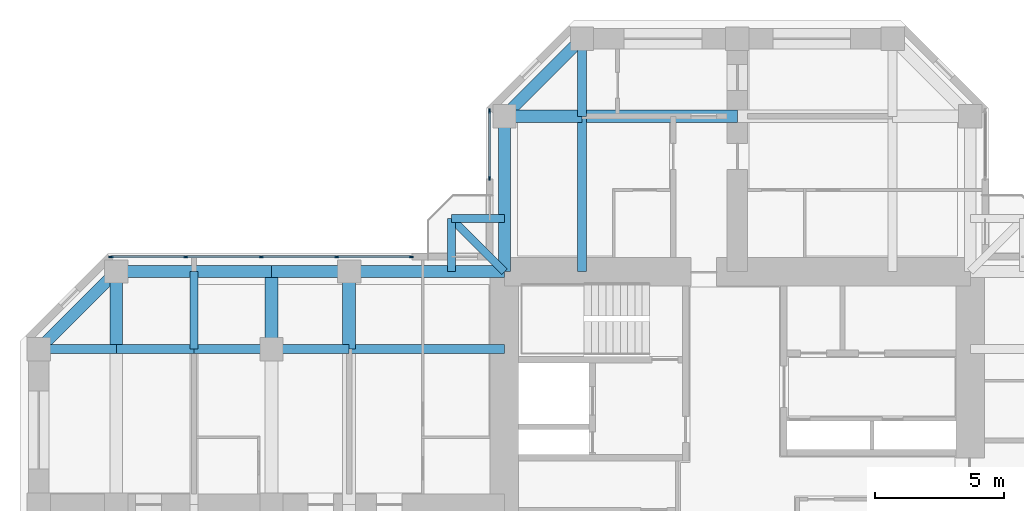
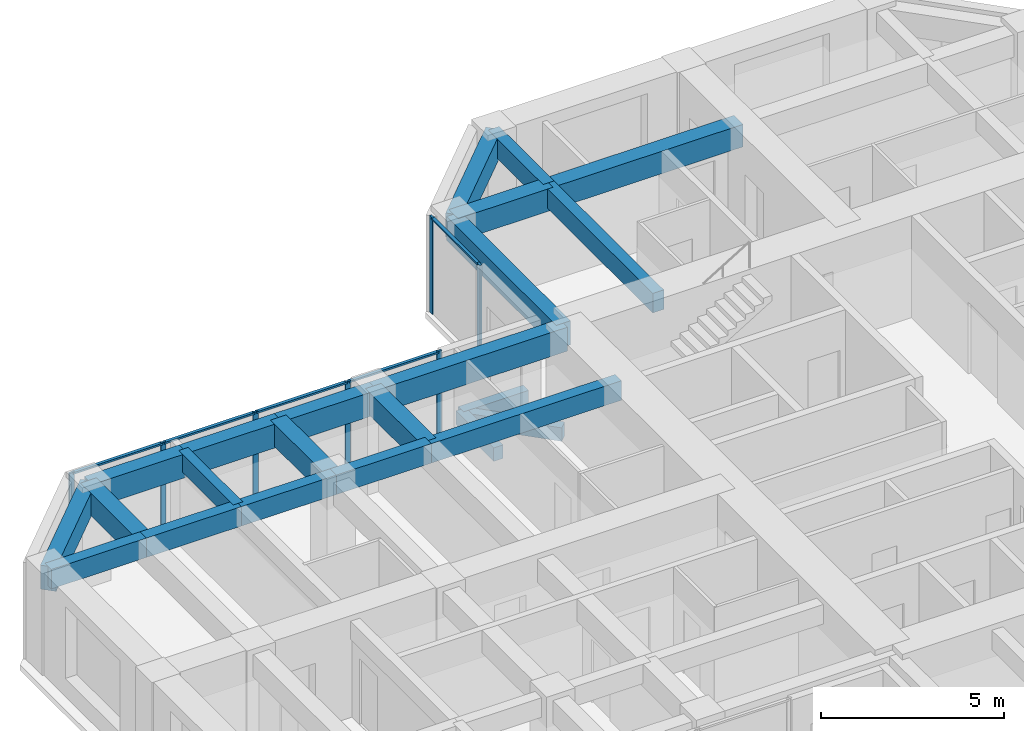
# One storey, part 5 of 14: 23 beams, 12 members, 2 elements without a shape of their own.
"""IFC4 building model written with IfcOpenShell, lengths in metres."""

from ifc_helpers import new_model, si_unit, direction, frame, origin, origin_2d, place, context, subcontext, project, spatial, rectangle, extrude, material, material_profile, profile_set, type_object, element, aggregate, save


model = new_model("IFC4")

# Units and contexts
model_context = context("Model", 3, precision=1e-05, world=origin(), true_north=direction((0.0, 1.0)))
body_context = subcontext(model_context, "Body", "Model", "MODEL_VIEW")
ifc_project = project(units=[si_unit("LENGTHUNIT", "METRE"), si_unit("AREAUNIT", "SQUARE_METRE"), si_unit("VOLUMEUNIT", "CUBIC_METRE"), si_unit("PLANEANGLEUNIT", "RADIAN"), si_unit("MASSUNIT", "GRAM", prefix="KILO")], contexts=[model_context])

# Site, building, storey
site_placement = place(None, origin())
site = spatial("IfcSite", under=ifc_project, at=site_placement, CompositionType="ELEMENT")
building_placement = place(site_placement, origin())
building = spatial("IfcBuilding", under=site, at=building_placement, Name="Torre Cruceta", CompositionType="ELEMENT")
storey_placement = place(building_placement, frame((0.0, 0.0, 200.10009765625)))
storey = spatial("IfcBuildingStorey", under=building, at=storey_placement, Name="L50", CompositionType="ELEMENT", Elevation=200.10009765625)

# Beams
ifc_material_1 = material(Name="Concrete G60 (fck 60 MPa)", Category="concrete")
ifc_material_profile_1 = material_profile(ifc_material_1, rectangle(XDim=0.300048828125, YDim=0.449951171875, at=origin_2d()), Name="RC 300X450")
ifc_profile_set_1 = profile_set([ifc_material_profile_1], Name="Concrete G60 (fck 60 MPa)")
beam_type_1 = type_object("IfcBeamType", Name="BALCONY CANTILEVER BEAM RC 300X450", PredefinedType="BEAM", material=ifc_profile_set_1)
beam_1_placement = place(storey_placement, frame((-9.0, 9.0, -0.405029296875), z_axis=(-0.707106781187, 0.707106781187, 0.0), x_axis=(-0.707106781187, -0.707106781187, 0.0)))
element("IfcBeam", 1, at=beam_1_placement, inside=storey, type_object=beam_type_1, Name="BB1 balcony beam L50 N", PredefinedType="BEAM", context=body_context, shape_type="SweptSolid", body=[
    extrude(rectangle(XDim=0.300048828125, YDim=0.449951171875, at=origin_2d()), origin(), (0.0, 0.0, 1.0), 2.89990234375),
])
for number, where, z_axis, x_axis, name in (
    (2, (-11.050537109375, 9.0, -0.405029296875), (0.0, 1.0, 0.0), (-1.0, 0.0, 0.0), "BB1 balcony edge beam L50 N-X"),
    (3, (-9.0, 11.050537109375, -0.405029296875), (-1.0, 0.0, 0.0), (0.0, -1.0, 0.0), "BB1 balcony edge beam L50 N-Y"),
):
    element("IfcBeam", number, at=place(storey_placement, frame(where, z_axis=z_axis, x_axis=x_axis)), inside=storey, type_object=beam_type_1, Name=name, PredefinedType="BEAM", context=body_context, shape_type="SweptSolid", body=[
        extrude(rectangle(XDim=0.300048828125, YDim=0.449951171875, at=origin_2d()), origin(), (0.0, 0.0, 1.0), 2.050537109375),
    ])
ifc_material_2 = material(Name="Concrete G60 (fck 60 MPa)", Category="concrete")
ifc_material_profile_2 = material_profile(ifc_material_2, rectangle(XDim=0.35009765625, YDim=0.64990234375, at=origin_2d()), Name="RC 350X650")
ifc_profile_set_2 = profile_set([ifc_material_profile_2], Name="Concrete G60 (fck 60 MPa)")
beam_type_2 = type_object("IfcBeamType", Name="COLUMN LINE BEAM RC 350X650", PredefinedType="BEAM", material=ifc_profile_set_2)
beam_2_placement = place(storey_placement, frame((-6.0, 9.0, 2.89501953125), z_axis=(0.0, 1.0, 0.0), x_axis=(-1.0, 0.0, 0.0)))
element("IfcBeam", 4, at=beam_2_placement, inside=storey, type_object=beam_type_2, Name="LB7 L50 N col+ 1", PredefinedType="BEAM", context=body_context, shape_type="SweptSolid", body=[
    extrude(rectangle(XDim=0.35009765625, YDim=0.64990234375, at=origin_2d()), origin(), (0.0, 0.0, 1.0), 6.0),
])
beam_3_placement = place(storey_placement, frame((-6.0, 15.0, 2.89501953125), z_axis=(0.0, 1.0, 0.0), x_axis=(-1.0, 0.0, 0.0)))
element("IfcBeam", 5, at=beam_3_placement, inside=storey, type_object=beam_type_2, Name="LB7 L50 N col+ 2", PredefinedType="BEAM", context=body_context, shape_type="SweptSolid", body=[
    extrude(rectangle(XDim=0.35009765625, YDim=0.64990234375, at=origin_2d()), origin(), (0.0, 0.0, 1.0), 3.0),
])
beam_4_placement = place(storey_placement, frame((-9.0, 6.0, 2.89501953125), z_axis=(-1.0, 0.0, 0.0), x_axis=(0.0, -1.0, 0.0)))
element("IfcBeam", 6, at=beam_4_placement, inside=storey, type_object=beam_type_2, Name="LB7 L50 W col- 1", PredefinedType="BEAM", context=body_context, shape_type="SweptSolid", body=[
    extrude(rectangle(XDim=0.35009765625, YDim=0.64990234375, at=origin_2d()), origin(), (0.0, 0.0, 1.0), 6.0),
])
for number, where, z_axis, x_axis, name in (
    (7, (-15.0, 6.0, 2.89501953125), (-1.0, 0.0, 0.0), (0.0, -1.0, 0.0), "LB7 L50 W col- 2"),
    (8, (-18.0, 6.0, 2.89501953125), (-1.0, 0.0, 0.0), (0.0, -1.0, 0.0), "LB7 L50 W col- 3"),
    (9, (-21.0, 6.0, 2.89501953125), (-1.0, 0.0, 0.0), (0.0, -1.0, 0.0), "LB7 L50 W col- 4"),
    (10, (-24.0, 6.0, 2.89501953125), (-1.0, 0.0, 0.0), (0.0, -1.0, 0.0), "LB7 L50 W col- 5"),
):
    element("IfcBeam", number, at=place(storey_placement, frame(where, z_axis=z_axis, x_axis=x_axis)), inside=storey, type_object=beam_type_2, Name=name, PredefinedType="BEAM", context=body_context, shape_type="SweptSolid", body=[
        extrude(rectangle(XDim=0.35009765625, YDim=0.64990234375, at=origin_2d()), origin(), (0.0, 0.0, 1.0), 3.0),
    ])
ifc_material_3 = material(Name="Concrete G60 (fck 60 MPa)", Category="concrete")
ifc_material_profile_3 = material_profile(ifc_material_3, rectangle(XDim=0.5, YDim=0.75, at=origin_2d()), Name="RC 500X750")
ifc_profile_set_3 = profile_set([ifc_material_profile_3], Name="Concrete G60 (fck 60 MPa)")
beam_type_3 = type_object("IfcBeamType", Name="CROSS BEAM RC 500X750", PredefinedType="BEAM", material=ifc_profile_set_3)
beam_5_placement = place(storey_placement, frame((0.0, 15.0, 2.844970703125), z_axis=(-1.0, 0.0, 0.0), x_axis=(0.0, -1.0, 0.0)))
element("IfcBeam", 11, at=beam_5_placement, inside=storey, type_object=beam_type_3, Name="GB6 L50 N cross15 3", PredefinedType="BEAM", context=body_context, shape_type="SweptSolid", body=[
    extrude(rectangle(XDim=0.5, YDim=0.75, at=origin_2d()), origin(), (0.0, 0.0, 1.0), 6.0),
])
for number, where, z_axis, x_axis, name in (
    (12, (-6.0, 15.0, 2.844970703125), (-1.0, 0.0, 0.0), (0.0, -1.0, 0.0), "GB6 L50 N cross15 4"),
    (13, (-15.0, 9.0, 2.844970703125), (0.0, -1.0, 0.0), (1.0, 0.0, 0.0), "GB6 L50 W cross15 1"),
    (14, (-18.0, 9.0, 2.844970703125), (0.0, -1.0, 0.0), (1.0, 0.0, 0.0), "GB6 L50 W cross18 1"),
    (15, (-24.0, 9.0, 2.844970703125), (0.0, -1.0, 0.0), (1.0, 0.0, 0.0), "GB6 L50 W cross24 1"),
):
    element("IfcBeam", number, at=place(storey_placement, frame(where, z_axis=z_axis, x_axis=x_axis)), inside=storey, type_object=beam_type_3, Name=name, PredefinedType="BEAM", context=body_context, shape_type="SweptSolid", body=[
        extrude(rectangle(XDim=0.5, YDim=0.75, at=origin_2d()), origin(), (0.0, 0.0, 1.0), 3.0),
    ])

# Curtain wall, members
ifc_material_4 = material(Name="Aluminium unitised curtain wall", Category="aluminium")
curtain_wall_type = type_object("IfcCurtainWallType", Name="CURTAIN WALL CW-C CO-LIVING", PredefinedType="USERDEFINED", material=ifc_material_4)
curtain_wall_1_placement = place(storey_placement, origin())
curtain_wall_1 = element("IfcCurtainWall", 16, at=curtain_wall_1_placement, inside=storey, type_object=curtain_wall_type, Name="CW-C L50 N side 09", ObjectType="UNITISED", PredefinedType="USERDEFINED")
ifc_material_5 = material(Name="Aluminium mullion", Category="aluminium")
ifc_material_profile_4 = material_profile(ifc_material_5, rectangle(XDim=0.06005859375, YDim=0.159912109375, at=origin_2d()), Name="AL 60X160")
ifc_profile_set_4 = profile_set([ifc_material_profile_4], Name="Aluminium mullion")
member_type_1 = type_object("IfcMemberType", Name="CW-C MULLION 60X160", PredefinedType="MULLION", material=ifc_profile_set_4)
member_1_placement = place(storey_placement, frame((-9.570068359375, 15.2060546875, 0.0), z_axis=(0.0, 0.0, 1.0), x_axis=(1.0, 0.0, 0.0)))
member_1 = element("IfcMember", 17, at=member_1_placement, type_object=member_type_1, Name="CW-C mullion 1", PredefinedType="MULLION", context=body_context, shape_type="SweptSolid", body=[
    extrude(rectangle(XDim=0.06005859375, YDim=0.159912109375, at=origin_2d()), origin(), (0.0, 0.0, 1.0), 3.219970703125),
])
member_2_placement = place(storey_placement, frame((-9.570068359375, 12.60009765625, 0.0), z_axis=(0.0, 0.0, 1.0), x_axis=(1.0, 0.0, 0.0)))
member_2 = element("IfcMember", 18, at=member_2_placement, type_object=member_type_1, Name="CW-C mullion 2", PredefinedType="MULLION", context=body_context, shape_type="SweptSolid", body=[
    extrude(rectangle(XDim=0.06005859375, YDim=0.159912109375, at=origin_2d()), origin(), (0.0, 0.0, 1.0), 3.219970703125),
])

curtain_wall_2_placement = place(storey_placement, origin())
curtain_wall_2 = element("IfcCurtainWall", 19, at=curtain_wall_2_placement, inside=storey, type_object=curtain_wall_type, Name="CW-C L50 W side 10", ObjectType="UNITISED", PredefinedType="USERDEFINED")
member_3_placement = place(storey_placement, frame((-12.60009765625, 9.570068359375, 0.0), z_axis=(0.0, 0.0, 1.0), x_axis=(0.0, -1.0, 0.0)))
member_3 = element("IfcMember", 20, at=member_3_placement, type_object=member_type_1, Name="CW-C mullion 1", PredefinedType="MULLION", context=body_context, shape_type="SweptSolid", body=[
    extrude(rectangle(XDim=0.06005859375, YDim=0.159912109375, at=origin_2d()), origin(), (0.0, 0.0, 1.0), 3.219970703125),
])
member_4_placement = place(storey_placement, frame((-15.486572265625, 9.570068359375, 0.0), z_axis=(0.0, 0.0, 1.0), x_axis=(0.0, -1.0, 0.0)))
member_4 = element("IfcMember", 21, at=member_4_placement, type_object=member_type_1, Name="CW-C mullion 2", PredefinedType="MULLION", context=body_context, shape_type="SweptSolid", body=[
    extrude(rectangle(XDim=0.06005859375, YDim=0.159912109375, at=origin_2d()), origin(), (0.0, 0.0, 1.0), 3.219970703125),
])
member_5_placement = place(storey_placement, frame((-18.403076171875, 9.570068359375, 0.0), z_axis=(0.0, 0.0, 1.0), x_axis=(0.0, -1.0, 0.0)))
member_5 = element("IfcMember", 22, at=member_5_placement, type_object=member_type_1, Name="CW-C mullion 3", PredefinedType="MULLION", context=body_context, shape_type="SweptSolid", body=[
    extrude(rectangle(XDim=0.06005859375, YDim=0.159912109375, at=origin_2d()), origin(), (0.0, 0.0, 1.0), 3.219970703125),
])
member_6_placement = place(storey_placement, frame((-21.319580078125, 9.570068359375, 0.0), z_axis=(0.0, 0.0, 1.0), x_axis=(0.0, -1.0, 0.0)))
member_6 = element("IfcMember", 23, at=member_6_placement, type_object=member_type_1, Name="CW-C mullion 4", PredefinedType="MULLION", context=body_context, shape_type="SweptSolid", body=[
    extrude(rectangle(XDim=0.06005859375, YDim=0.159912109375, at=origin_2d()), origin(), (0.0, 0.0, 1.0), 3.219970703125),
])
member_7_placement = place(storey_placement, frame((-24.2060546875, 9.570068359375, 0.0), z_axis=(0.0, 0.0, 1.0), x_axis=(0.0, -1.0, 0.0)))
member_7 = element("IfcMember", 24, at=member_7_placement, type_object=member_type_1, Name="CW-C mullion 5", PredefinedType="MULLION", context=body_context, shape_type="SweptSolid", body=[
    extrude(rectangle(XDim=0.06005859375, YDim=0.159912109375, at=origin_2d()), origin(), (0.0, 0.0, 1.0), 3.219970703125),
])

# Member
ifc_material_6 = material(Name="Aluminium transom", Category="aluminium")
ifc_material_profile_5 = material_profile(ifc_material_6, rectangle(XDim=0.10009765625, YDim=0.06005859375, at=origin_2d()), Name="AL 100X60")
ifc_profile_set_5 = profile_set([ifc_material_profile_5], Name="Aluminium transom")
member_type_2 = type_object("IfcMemberType", Name="CW-C TRANSOM 60X100", PredefinedType="USERDEFINED", material=ifc_profile_set_5)
member_8_placement = place(storey_placement, frame((-9.570068359375, 15.176025390625, 3.18994140625), z_axis=(0.0, -1.0, 0.0), x_axis=(1.0, 0.0, 0.0)))
member_8 = element("IfcMember", 25, at=member_8_placement, type_object=member_type_2, Name="CW-C transom 1", ObjectType="TRANSOM", PredefinedType="USERDEFINED", context=body_context, shape_type="SweptSolid", body=[
    extrude(rectangle(XDim=0.10009765625, YDim=0.06005859375, at=origin_2d()), origin(), (0.0, 0.0, 1.0), 2.546142578125),
])

aggregate(curtain_wall_1, [member_1, member_2, member_8])

member_9_placement = place(storey_placement, frame((-12.6298828125, 9.570068359375, 3.18994140625), z_axis=(-1.0, 0.0, 0.0), x_axis=(0.0, -1.0, 0.0)))
member_9 = element("IfcMember", 26, at=member_9_placement, type_object=member_type_2, Name="CW-C transom 1", ObjectType="TRANSOM", PredefinedType="USERDEFINED", context=body_context, shape_type="SweptSolid", body=[
    extrude(rectangle(XDim=0.10009765625, YDim=0.06005859375, at=origin_2d()), origin(), (0.0, 0.0, 1.0), 2.82666015625),
])

member_10_placement = place(storey_placement, frame((-15.5166015625, 9.570068359375, 3.18994140625), z_axis=(-1.0, 0.0, 0.0), x_axis=(0.0, -1.0, 0.0)))
member_10 = element("IfcMember", 27, at=member_10_placement, type_object=member_type_2, Name="CW-C transom 2", ObjectType="TRANSOM", PredefinedType="USERDEFINED", context=body_context, shape_type="SweptSolid", body=[
    extrude(rectangle(XDim=0.10009765625, YDim=0.06005859375, at=origin_2d()), origin(), (0.0, 0.0, 1.0), 2.8564453125),
])

member_11_placement = place(storey_placement, frame((-18.43310546875, 9.570068359375, 3.18994140625), z_axis=(-1.0, 0.0, 0.0), x_axis=(0.0, -1.0, 0.0)))
member_11 = element("IfcMember", 28, at=member_11_placement, type_object=member_type_2, Name="CW-C transom 3", ObjectType="TRANSOM", PredefinedType="USERDEFINED", context=body_context, shape_type="SweptSolid", body=[
    extrude(rectangle(XDim=0.10009765625, YDim=0.06005859375, at=origin_2d()), origin(), (0.0, 0.0, 1.0), 2.8564453125),
])

member_12_placement = place(storey_placement, frame((-21.349609375, 9.570068359375, 3.18994140625), z_axis=(-1.0, 0.0, 0.0), x_axis=(0.0, -1.0, 0.0)))
member_12 = element("IfcMember", 29, at=member_12_placement, type_object=member_type_2, Name="CW-C transom 4", ObjectType="TRANSOM", PredefinedType="USERDEFINED", context=body_context, shape_type="SweptSolid", body=[
    extrude(rectangle(XDim=0.10009765625, YDim=0.06005859375, at=origin_2d()), origin(), (0.0, 0.0, 1.0), 2.826416015625),
])

aggregate(curtain_wall_2, [member_3, member_4, member_5, member_6, member_7, member_9, member_10, member_11, member_12])

# Beams
ifc_material_7 = material(Name="Concrete G60 (fck 60 MPa)", Category="concrete")
ifc_material_profile_6 = material_profile(ifc_material_7, rectangle(XDim=0.300048828125, YDim=0.60009765625, at=origin_2d()), Name="RC 300X600")
ifc_profile_set_6 = profile_set([ifc_material_profile_6], Name="Concrete G60 (fck 60 MPa)")
beam_type_4 = type_object("IfcBeamType", Name="SECONDARY BEAM RC 300X600", PredefinedType="JOIST", material=ifc_profile_set_6)
beam_6_placement = place(storey_placement, frame((-21.0, 9.0, 2.919921875), z_axis=(0.0, -1.0, 0.0), x_axis=(1.0, 0.0, 0.0)))
element("IfcBeam", 30, at=beam_6_placement, inside=storey, type_object=beam_type_4, Name="JB6 L50 W sec21 1", PredefinedType="JOIST", context=body_context, shape_type="SweptSolid", body=[
    extrude(rectangle(XDim=0.300048828125, YDim=0.60009765625, at=origin_2d()), origin(), (0.0, 0.0, 1.0), 3.0),
])
ifc_material_8 = material(Name="Concrete G60 (fck 60 MPa)", Category="concrete")
ifc_material_profile_7 = material_profile(ifc_material_8, rectangle(XDim=0.449951171875, YDim=0.800048828125, at=origin_2d()), Name="RC 450X800")
ifc_profile_set_7 = profile_set([ifc_material_profile_7], Name="Concrete G60 (fck 60 MPa)")
beam_type_5 = type_object("IfcBeamType", Name="SPANDREL BEAM RC 450X800", PredefinedType="SPANDREL", material=ifc_profile_set_7)
beam_7_placement = place(storey_placement, frame((-9.0, 9.0, 2.81982421875), z_axis=(0.0, 1.0, 0.0), x_axis=(-1.0, 0.0, 0.0)))
element("IfcBeam", 31, at=beam_7_placement, inside=storey, type_object=beam_type_5, Name="SB6 L50 N side+ 1", PredefinedType="SPANDREL", context=body_context, shape_type="SweptSolid", body=[
    extrude(rectangle(XDim=0.449951171875, YDim=0.800048828125, at=origin_2d()), origin(), (0.0, 0.0, 1.0), 6.0),
])
beam_8_placement = place(storey_placement, frame((-9.0, 15.0, 2.81982421875), z_axis=(0.707106781187, 0.707106781187, 0.0), x_axis=(-0.707106781187, 0.707106781187, 0.0)))
element("IfcBeam", 32, at=beam_8_placement, inside=storey, type_object=beam_type_5, Name="SB6 L50 N side+ 2", PredefinedType="SPANDREL", context=body_context, shape_type="SweptSolid", body=[
    extrude(rectangle(XDim=0.449951171875, YDim=0.800048828125, at=origin_2d()), origin(), (0.0, 0.0, 1.0), 4.24267578125),
])
beam_9_placement = place(storey_placement, frame((-9.0, 9.0, 2.81982421875), z_axis=(-1.0, 0.0, 0.0), x_axis=(0.0, -1.0, 0.0)))
element("IfcBeam", 33, at=beam_9_placement, inside=storey, type_object=beam_type_5, Name="SB6 L50 W side- 1", PredefinedType="SPANDREL", context=body_context, shape_type="SweptSolid", body=[
    extrude(rectangle(XDim=0.449951171875, YDim=0.800048828125, at=origin_2d()), origin(), (0.0, 0.0, 1.0), 6.0),
])
for number, where, z_axis, x_axis, name in (
    (34, (-15.0, 9.0, 2.81982421875), (-1.0, 0.0, 0.0), (0.0, -1.0, 0.0), "SB6 L50 W side- 2"),
    (35, (-18.0, 9.0, 2.81982421875), (-1.0, 0.0, 0.0), (0.0, -1.0, 0.0), "SB6 L50 W side- 3"),
    (36, (-21.0, 9.0, 2.81982421875), (-1.0, 0.0, 0.0), (0.0, -1.0, 0.0), "SB6 L50 W side- 4"),
):
    element("IfcBeam", number, at=place(storey_placement, frame(where, z_axis=z_axis, x_axis=x_axis)), inside=storey, type_object=beam_type_5, Name=name, PredefinedType="SPANDREL", context=body_context, shape_type="SweptSolid", body=[
        extrude(rectangle(XDim=0.449951171875, YDim=0.800048828125, at=origin_2d()), origin(), (0.0, 0.0, 1.0), 3.0),
    ])
beam_10_placement = place(storey_placement, frame((-24.0, 9.0, 2.81982421875), z_axis=(-0.707106781187, -0.707106781187, 0.0), x_axis=(0.707106781187, -0.707106781187, 0.0)))
element("IfcBeam", 37, at=beam_10_placement, inside=storey, type_object=beam_type_5, Name="SB6 L50 W side- 5", PredefinedType="SPANDREL", context=body_context, shape_type="SweptSolid", body=[
    extrude(rectangle(XDim=0.449951171875, YDim=0.800048828125, at=origin_2d()), origin(), (0.0, 0.0, 1.0), 4.24267578125),
])

save(model, "model.ifc")
